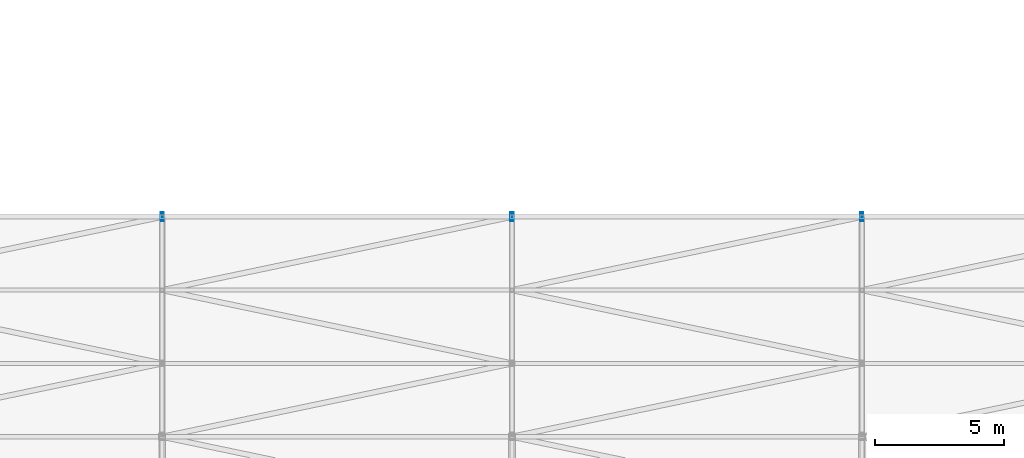
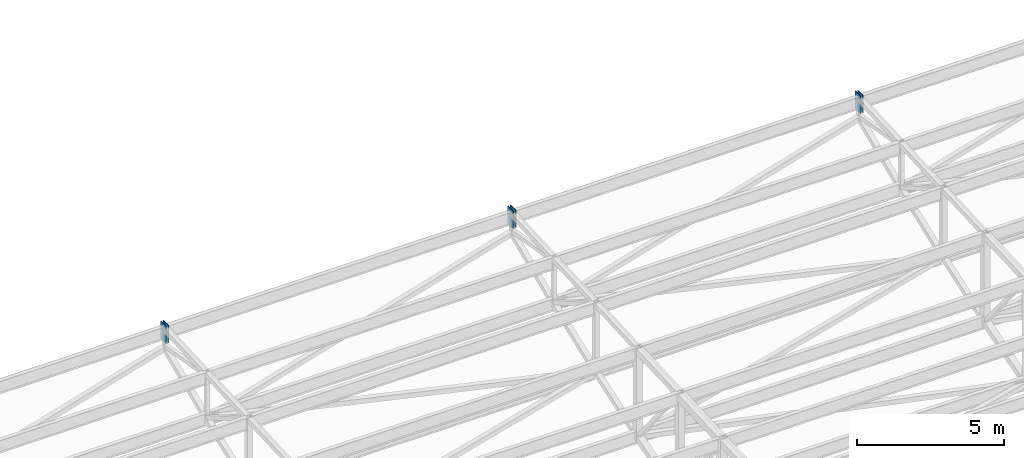
# One storey, part 147 of 278: 6 discrete accessories.
"""IFC4 building model written with IfcOpenShell, lengths in metres."""

from ifc_helpers import new_model, si_unit, direction, frame, origin, origin_2d, place, context, subcontext, project, spatial, rectangle, extrude, material, layer, layer_set, type_object, element, save


model = new_model("IFC4")

# Units and contexts
model_context = context("Model", 3, precision=1e-05, world=origin(), true_north=direction((0.0, 1.0)))
body_context = subcontext(model_context, "Body", "Model", "MODEL_VIEW")
ifc_project = project(units=[si_unit("LENGTHUNIT", "METRE"), si_unit("AREAUNIT", "SQUARE_METRE"), si_unit("VOLUMEUNIT", "CUBIC_METRE"), si_unit("PLANEANGLEUNIT", "RADIAN"), si_unit("MASSUNIT", "GRAM", prefix="KILO")], contexts=[model_context])

# Site, building, storey
site_placement = place(None, origin())
site = spatial("IfcSite", under=ifc_project, at=site_placement, CompositionType="ELEMENT")
building_placement = place(site_placement, origin())
building = spatial("IfcBuilding", under=site, at=building_placement, Name="Ogive Plaza Stadium", CompositionType="ELEMENT")
storey_placement = place(building_placement, frame((0.0, 0.0, 29.0)))
storey = spatial("IfcBuildingStorey", under=building, at=storey_placement, Name="Roof", CompositionType="ELEMENT", Elevation=29.0)

# Discrete accessories
ifc_material = material(Name="Steel ASTM A992 Grade 50", Category="steel")
ifc_layer = layer(ifc_material, 0.030029296875)
ifc_layer_set = layer_set([ifc_layer], Name="Steel ASTM A992 Grade 50")
discrete_accessory_type = type_object("IfcDiscreteAccessoryType", Name="Ring beam end plate 30", PredefinedType="ANCHORPLATE", material=ifc_layer_set)
for number, where, z_axis, x_axis, name in (
    (1, (6.84619140625, -64.0, 6.80029296875), (0.0, 0.0, 1.0), (-1.0, 0.0, 0.0), "RING BEAM END PLATE B13 2"),
    (2, (6.75390625, -64.0, 6.80029296875), (0.0, 0.0, 1.0), (-1.0, 0.0, 0.0), "RING BEAM END PLATE B14 1"),
    (3, (-6.75390625, -64.0, 6.80029296875), (0.0, 0.0, 1.0), (-1.0, 0.0, 0.0), "RING BEAM END PLATE B14 2"),
    (4, (-6.84619140625, -64.0, 6.80029296875), (0.0, 0.0, 1.0), (-1.0, 0.0, 0.0), "RING BEAM END PLATE B15 1"),
    (5, (-20.353759765625, -64.0, 6.80029296875), (0.0, 0.0, 1.0), (-1.0, 0.0, 0.0), "RING BEAM END PLATE B15 2"),
    (6, (-20.4462890625, -64.0, 6.80029296875), (0.0, 0.0, 1.0), (-1.0, 0.0, 0.0), "RING BEAM END PLATE B16 1"),
):
    element("IfcDiscreteAccessory", number, at=place(storey_placement, frame(where, z_axis=z_axis, x_axis=x_axis)), inside=storey, type_object=discrete_accessory_type, Name=name, PredefinedType="ANCHORPLATE", context=body_context, shape_type="SweptSolid", body=[
        extrude(rectangle(XDim=0.030029296875, YDim=0.364990234375, at=origin_2d()), origin(), (0.0, 0.0, 1.0), 0.724853515625),
    ])

save(model, "model.ifc")
